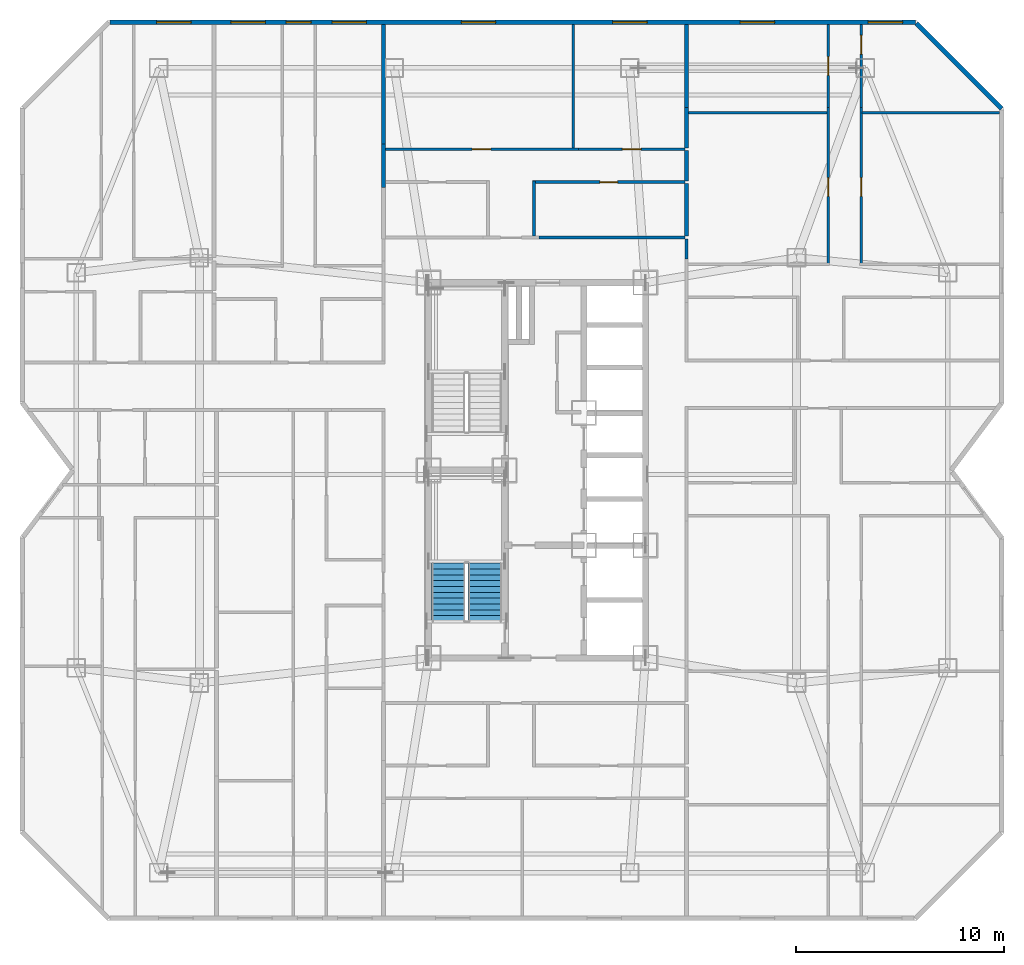
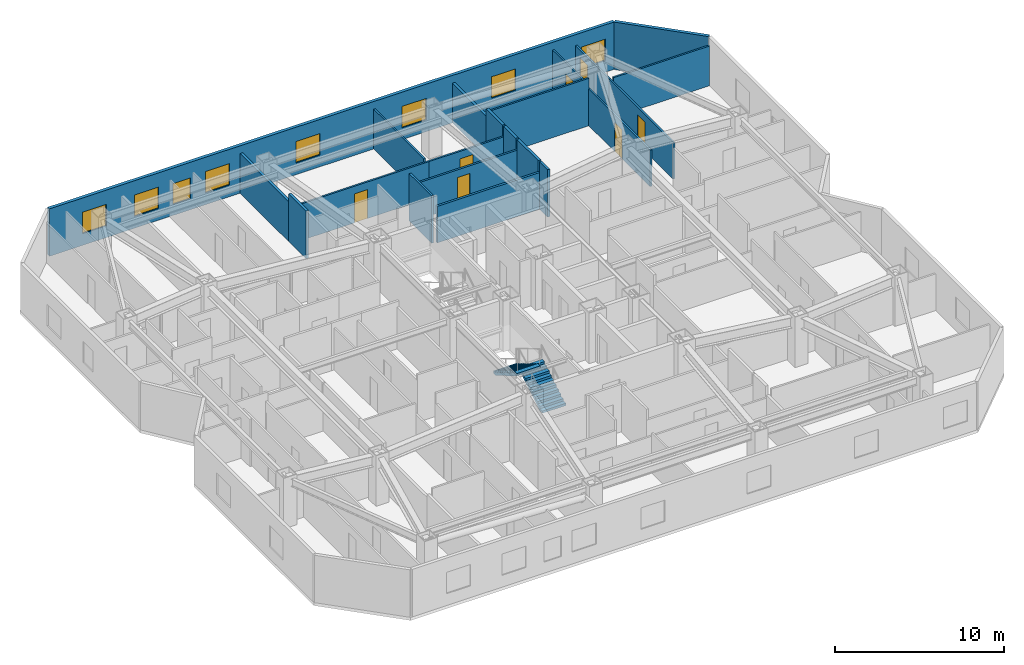
# One storey, part 10 of 12: 21 walls, 8 windows, 7 doors, 2 stair flights, 15 openings, 1 element without a shape of its own.
"""IFC4 building model written with IfcOpenShell, lengths in metres."""

from ifc_helpers import new_model, si_unit, direction, frame, frame_2d, origin, place, context, subcontext, project, spatial, polyline, rectangle, outline, extrude, material, layer, layer_set, type_object, element, fill, aggregate, save


model = new_model("IFC4")

# Units and contexts
model_context = context("Model", 3, precision=1e-05, world=origin(), true_north=direction((0.0, 1.0)))
body_context = subcontext(model_context, "Body", "Model", "MODEL_VIEW")
ifc_project = project(units=[si_unit("LENGTHUNIT", "METRE"), si_unit("AREAUNIT", "SQUARE_METRE"), si_unit("VOLUMEUNIT", "CUBIC_METRE"), si_unit("PLANEANGLEUNIT", "RADIAN"), si_unit("MASSUNIT", "GRAM", prefix="KILO")], contexts=[model_context])

# Site, building, storey
site_placement = place(None, origin())
site = spatial("IfcSite", under=ifc_project, at=site_placement, CompositionType="ELEMENT")
building_placement = place(site_placement, origin())
building = spatial("IfcBuilding", under=site, at=building_placement, Name="Khamvora Tower", CompositionType="ELEMENT")
storey_placement = place(building_placement, frame((0.0, 0.0, 138.39990234375)))
storey = spatial("IfcBuildingStorey", under=building, at=storey_placement, Name="L35", CompositionType="ELEMENT", Elevation=138.39990234375)

# Walls
ifc_material_1 = material(Name="Fire-Rated Drywall and Steel Stud", Category="steel")
ifc_layer_1 = layer(ifc_material_1, 0.14990234375)
ifc_layer_set_1 = layer_set([ifc_layer_1], Name="Fire-Rated Drywall and Steel Stud")
wall_type_1 = type_object("IfcWallType", Name="WAL-CORR-150", PredefinedType="STANDARD", material=ifc_layer_set_1)
wall_1_placement = place(storey_placement, frame((34.299072265625, 39.1650390625, 0.0), z_axis=(0.0, 0.0, 1.0), x_axis=(1.0, 0.0, 0.0)))
element("IfcWall", 1, at=wall_1_placement, inside=storey, type_object=wall_type_1, Name="L35 interior partition wall 028", PredefinedType="STANDARD", context=body_context, shape_type="SweptSolid", body=[
    extrude(rectangle(XDim=7.0009765625, YDim=0.14990234375, at=frame_2d((3.50048828125, 0.0))), origin(), (0.0, 0.0, 1.0), 2.647216796875),
])
wall_2_placement = place(storey_placement, frame((41.364990234375, 39.10009765625, 0.0), z_axis=(0.0, 0.0, 1.0), x_axis=(0.0, -1.0, 0.0)))
element("IfcWall", 2, at=wall_2_placement, inside=storey, type_object=wall_type_1, Name="L35 interior partition wall 041", PredefinedType="STANDARD", context=body_context, shape_type="SweptSolid", body=[
    extrude(rectangle(XDim=0.967041015625, YDim=0.14990234375, at=frame_2d((0.4833984375, 0.0))), origin(), (0.0, 0.0, 1.0), 3.43017578125),
])
ifc_material_2 = material(Name="Acoustic Double-Stud Fire Wall", Category="gypsum")
ifc_layer_2 = layer(ifc_material_2, 0.179931640625)
ifc_layer_set_2 = layer_set([ifc_layer_2], Name="Acoustic Double-Stud Fire Wall")
wall_type_2 = type_object("IfcWallType", Name="WAL-CORR-180", PredefinedType="STANDARD", material=ifc_layer_set_2)
wall_3_placement = place(storey_placement, frame((26.8349609375, 43.65087890625, 0.0), z_axis=(0.0, 0.0, 1.0), x_axis=(0.0, -1.0, 0.0)))
element("IfcWall", 3, at=wall_3_placement, inside=storey, type_object=wall_type_2, Name="L35 interior partition wall 094", PredefinedType="STANDARD", context=body_context, shape_type="SweptSolid", body=[
    extrude(rectangle(XDim=2.077880859375, YDim=0.179931640625, at=frame_2d((1.0390625, 0.0))), origin(), (0.0, 0.0, 1.0), 3.43017578125),
])
wall_4_placement = place(storey_placement, frame((26.8349609375, 49.387939453125, 0.0), z_axis=(0.0, 0.0, 1.0), x_axis=(0.0, -1.0, 0.0)))
element("IfcWall", 4, at=wall_4_placement, inside=storey, type_object=wall_type_2, Name="L35 interior partition wall 096", PredefinedType="STANDARD", context=body_context, shape_type="SweptSolid", body=[
    extrude(rectangle(XDim=5.737060546875, YDim=0.179931640625, at=frame_2d((2.86865234375, 0.0))), origin(), (0.0, 0.0, 1.0), 2.8759765625),
])
wall_5_placement = place(storey_placement, frame((41.364990234375, 43.3369140625, 0.0), z_axis=(0.0, 0.0, 1.0), x_axis=(0.0, -1.0, 0.0)))
element("IfcWall", 5, at=wall_5_placement, inside=storey, type_object=wall_type_2, Name="L35 interior partition wall 113", PredefinedType="STANDARD", context=body_context, shape_type="SweptSolid", body=[
    extrude(rectangle(XDim=1.449951171875, YDim=0.179931640625, at=frame_2d((0.72509765625, 0.0))), origin(), (0.0, 0.0, 1.0), 3.43017578125),
])
wall_6_placement = place(storey_placement, frame((41.364990234375, 41.757080078125, 0.0), z_axis=(0.0, 0.0, 1.0), x_axis=(0.0, -1.0, 0.0)))
element("IfcWall", 6, at=wall_6_placement, inside=storey, type_object=wall_type_2, Name="L35 interior partition wall 114", PredefinedType="STANDARD", context=body_context, shape_type="SweptSolid", body=[
    extrude(rectangle(XDim=2.527099609375, YDim=0.179931640625, at=frame_2d((1.263671875, 0.0))), origin(), (0.0, 0.0, 1.0), 3.43017578125),
])
wall_7_placement = place(storey_placement, frame((41.364990234375, 45.39990234375, 0.0), z_axis=(0.0, 0.0, 1.0), x_axis=(0.0, -1.0, 0.0)))
element("IfcWall", 7, at=wall_7_placement, inside=storey, type_object=wall_type_2, Name="L35 interior partition wall 116", PredefinedType="STANDARD", context=body_context, shape_type="SweptSolid", body=[
    extrude(rectangle(XDim=1.932861328125, YDim=0.179931640625, at=frame_2d((0.96630859375, 0.0))), origin(), (0.0, 0.0, 1.0), 3.43017578125),
])
wall_8_placement = place(storey_placement, frame((41.364990234375, 49.387939453125, 0.0), z_axis=(0.0, 0.0, 1.0), x_axis=(0.0, -1.0, 0.0)))
element("IfcWall", 8, at=wall_8_placement, inside=storey, type_object=wall_type_2, Name="L35 interior partition wall 117", PredefinedType="STANDARD", context=body_context, shape_type="SweptSolid", body=[
    extrude(rectangle(XDim=3.988037109375, YDim=0.179931640625, at=frame_2d((1.994140625, 0.0))), origin(), (0.0, 0.0, 1.0), 2.8759765625),
])

# Wall, openings, windows
ifc_material_3 = material(Name="Precast concrete C40/50", Category="concrete")
ifc_layer_3 = layer(ifc_material_3, 0.219970703125)
ifc_layer_set_3 = layer_set([ifc_layer_3], Name="Precast concrete C40/50")
wall_type_3 = type_object("IfcWallType", Name="WAL-EXT-220", PredefinedType="STANDARD", material=ifc_layer_set_3)
wall_9_placement = place(storey_placement, frame((13.715087890625, 49.489990234375, 0.0), z_axis=(0.0, 0.0, 1.0), x_axis=(1.0, 0.0, 0.0)))
wall_9 = element("IfcWall", 9, at=wall_9_placement, inside=storey, type_object=wall_type_3, Name="L35 exterior facade wall 07.1", PredefinedType="STANDARD", context=body_context, shape_type="SweptSolid", body=[
    extrude(rectangle(XDim=38.638916015625, YDim=0.219970703125, at=frame_2d((19.3193359375, 0.0))), origin(), (0.0, 0.0, 1.0), 3.43017578125),
])
opening_1_placement = place(wall_9_placement, frame((2.242919921875, 0.0, 0.85009765625)))
opening_1 = element("IfcOpeningElement", 10, at=opening_1_placement, cuts=wall_9, Name="Opening WN-06", PredefinedType="OPENING", context=body_context, shape_type="SweptSolid", body=[
    extrude(rectangle(XDim=1.64990234375, YDim=1.550048828125, at=frame_2d((0.824951171875, 0.77490234375))), frame((0.0, 0.119873046875, 0.0), z_axis=(0.0, -1.0, 0.0), x_axis=(1.0, 0.0, 0.0)), (0.0, 0.0, 1.0), 0.239990234375),
])
opening_2_placement = place(wall_9_placement, frame((8.455078125, 0.0, 0.800048828125)))
opening_2 = element("IfcOpeningElement", 11, at=opening_2_placement, cuts=wall_9, Name="Opening WN-03", PredefinedType="OPENING", context=body_context, shape_type="SweptSolid", body=[
    extrude(rectangle(XDim=1.199951171875, YDim=1.5, at=frame_2d((0.60009765625, 0.75))), frame((0.0, 0.119873046875, 0.0), z_axis=(0.0, -1.0, 0.0), x_axis=(1.0, 0.0, 0.0)), (0.0, 0.0, 1.0), 0.239990234375),
])
opening_3_placement = place(wall_9_placement, frame((5.804931640625, 0.0, 0.85009765625)))
opening_3 = element("IfcOpeningElement", 12, at=opening_3_placement, cuts=wall_9, Name="Opening WN-06", PredefinedType="OPENING", context=body_context, shape_type="SweptSolid", body=[
    extrude(rectangle(XDim=1.64990234375, YDim=1.550048828125, at=frame_2d((0.824951171875, 0.77490234375))), frame((0.0, 0.119873046875, 0.0), z_axis=(0.0, -1.0, 0.0), x_axis=(1.0, 0.0, 0.0)), (0.0, 0.0, 1.0), 0.239990234375),
])
opening_4_placement = place(wall_9_placement, frame((10.655029296875, 0.0, 0.85009765625)))
opening_4 = element("IfcOpeningElement", 13, at=opening_4_placement, cuts=wall_9, Name="Opening WN-06", PredefinedType="OPENING", context=body_context, shape_type="SweptSolid", body=[
    extrude(rectangle(XDim=1.64990234375, YDim=1.550048828125, at=frame_2d((0.824951171875, 0.77490234375))), frame((0.0, 0.119873046875, 0.0), z_axis=(0.0, -1.0, 0.0), x_axis=(1.0, 0.0, 0.0)), (0.0, 0.0, 1.0), 0.239990234375),
])
opening_5_placement = place(wall_9_placement, frame((16.85107421875, 0.0, 0.85009765625)))
opening_5 = element("IfcOpeningElement", 14, at=opening_5_placement, cuts=wall_9, Name="Opening WN-06", PredefinedType="OPENING", context=body_context, shape_type="SweptSolid", body=[
    extrude(rectangle(XDim=1.64990234375, YDim=1.550048828125, at=frame_2d((0.824951171875, 0.77490234375))), frame((0.0, 0.119873046875, 0.0), z_axis=(0.0, -1.0, 0.0), x_axis=(1.0, 0.0, 0.0)), (0.0, 0.0, 1.0), 0.239990234375),
])
opening_6_placement = place(wall_9_placement, frame((24.115966796875, 0.0, 0.85009765625)))
opening_6 = element("IfcOpeningElement", 15, at=opening_6_placement, cuts=wall_9, Name="Opening WN-06", PredefinedType="OPENING", context=body_context, shape_type="SweptSolid", body=[
    extrude(rectangle(XDim=1.64990234375, YDim=1.550048828125, at=frame_2d((0.824951171875, 0.77490234375))), frame((0.0, 0.119873046875, 0.0), z_axis=(0.0, -1.0, 0.0), x_axis=(1.0, 0.0, 0.0)), (0.0, 0.0, 1.0), 0.239990234375),
])
opening_7_placement = place(wall_9_placement, frame((30.22998046875, 0.0, 0.85009765625)))
opening_7 = element("IfcOpeningElement", 16, at=opening_7_placement, cuts=wall_9, Name="Opening WN-06", PredefinedType="OPENING", context=body_context, shape_type="SweptSolid", body=[
    extrude(rectangle(XDim=1.64990234375, YDim=1.550048828125, at=frame_2d((0.824951171875, 0.77490234375))), frame((0.0, 0.119873046875, 0.0), z_axis=(0.0, -1.0, 0.0), x_axis=(1.0, 0.0, 0.0)), (0.0, 0.0, 1.0), 0.239990234375),
])
opening_8_placement = place(wall_9_placement, frame((36.366943359375, 0.0, 0.85009765625)))
opening_8 = element("IfcOpeningElement", 17, at=opening_8_placement, cuts=wall_9, Name="Opening WN-06", PredefinedType="OPENING", context=body_context, shape_type="SweptSolid", body=[
    extrude(rectangle(XDim=1.64990234375, YDim=1.550048828125, at=frame_2d((0.824951171875, 0.77490234375))), frame((0.0, 0.119873046875, 0.0), z_axis=(0.0, -1.0, 0.0), x_axis=(1.0, 0.0, 0.0)), (0.0, 0.0, 1.0), 0.239990234375),
])
ifc_material_4 = material(Name="Low-E Laminated Double Glazing", Category="glass")
window_type_1 = type_object("IfcWindowType", Name="WIN-VIS-1200x1500", PartitioningType="SINGLE_PANEL", PredefinedType="WINDOW", material=ifc_material_4)
window_1_placement = place(opening_2_placement, origin())
window_1 = element("IfcWindow", 18, at=window_1_placement, inside=storey, type_object=window_type_1, Name="L35 vision window 07.1.02", OverallHeight=1.5, OverallWidth=1.199951171875, PartitioningType="SINGLE_PANEL", PredefinedType="WINDOW", context=body_context, shape_type="SweptSolid", body=[
    extrude(rectangle(XDim=1.199951171875, YDim=1.5, at=frame_2d((0.60009765625, 0.75))), frame((0.0, 0.030029296875, 0.0), z_axis=(0.0, -1.0, 0.0), x_axis=(1.0, 0.0, 0.0)), (0.0, 0.0, 1.0), 0.06005859375),
])
fill(opening_2, window_1)
window_type_2 = type_object("IfcWindowType", Name="WIN-VIS-1650x1550", PartitioningType="SINGLE_PANEL", PredefinedType="WINDOW", material=ifc_material_4)
window_2_placement = place(opening_1_placement, origin())
window_2 = element("IfcWindow", 19, at=window_2_placement, inside=storey, type_object=window_type_2, Name="L35 vision window 07.1.01", OverallHeight=1.550048828125, OverallWidth=1.64990234375, PartitioningType="SINGLE_PANEL", PredefinedType="WINDOW", context=body_context, shape_type="SweptSolid", body=[
    extrude(rectangle(XDim=1.64990234375, YDim=1.550048828125, at=frame_2d((0.824951171875, 0.77490234375))), frame((0.0, 0.030029296875, 0.0), z_axis=(0.0, -1.0, 0.0), x_axis=(1.0, 0.0, 0.0)), (0.0, 0.0, 1.0), 0.06005859375),
])
fill(opening_1, window_2)
window_3_placement = place(opening_3_placement, origin())
window_3 = element("IfcWindow", 20, at=window_3_placement, inside=storey, type_object=window_type_2, Name="L35 vision window 07.1.03", OverallHeight=1.550048828125, OverallWidth=1.64990234375, PartitioningType="SINGLE_PANEL", PredefinedType="WINDOW", context=body_context, shape_type="SweptSolid", body=[
    extrude(rectangle(XDim=1.64990234375, YDim=1.550048828125, at=frame_2d((0.824951171875, 0.77490234375))), frame((0.0, 0.030029296875, 0.0), z_axis=(0.0, -1.0, 0.0), x_axis=(1.0, 0.0, 0.0)), (0.0, 0.0, 1.0), 0.06005859375),
])
fill(opening_3, window_3)
window_4_placement = place(opening_4_placement, origin())
window_4 = element("IfcWindow", 21, at=window_4_placement, inside=storey, type_object=window_type_2, Name="L35 vision window 07.1.04", OverallHeight=1.550048828125, OverallWidth=1.64990234375, PartitioningType="SINGLE_PANEL", PredefinedType="WINDOW", context=body_context, shape_type="SweptSolid", body=[
    extrude(rectangle(XDim=1.64990234375, YDim=1.550048828125, at=frame_2d((0.824951171875, 0.77490234375))), frame((0.0, 0.030029296875, 0.0), z_axis=(0.0, -1.0, 0.0), x_axis=(1.0, 0.0, 0.0)), (0.0, 0.0, 1.0), 0.06005859375),
])
fill(opening_4, window_4)
window_5_placement = place(opening_5_placement, origin())
window_5 = element("IfcWindow", 22, at=window_5_placement, inside=storey, type_object=window_type_2, Name="L35 vision window 07.1.05", OverallHeight=1.550048828125, OverallWidth=1.64990234375, PartitioningType="SINGLE_PANEL", PredefinedType="WINDOW", context=body_context, shape_type="SweptSolid", body=[
    extrude(rectangle(XDim=1.64990234375, YDim=1.550048828125, at=frame_2d((0.824951171875, 0.77490234375))), frame((0.0, 0.030029296875, 0.0), z_axis=(0.0, -1.0, 0.0), x_axis=(1.0, 0.0, 0.0)), (0.0, 0.0, 1.0), 0.06005859375),
])
fill(opening_5, window_5)
window_6_placement = place(opening_6_placement, origin())
window_6 = element("IfcWindow", 23, at=window_6_placement, inside=storey, type_object=window_type_2, Name="L35 vision window 07.1.06", OverallHeight=1.550048828125, OverallWidth=1.64990234375, PartitioningType="SINGLE_PANEL", PredefinedType="WINDOW", context=body_context, shape_type="SweptSolid", body=[
    extrude(rectangle(XDim=1.64990234375, YDim=1.550048828125, at=frame_2d((0.824951171875, 0.77490234375))), frame((0.0, 0.030029296875, 0.0), z_axis=(0.0, -1.0, 0.0), x_axis=(1.0, 0.0, 0.0)), (0.0, 0.0, 1.0), 0.06005859375),
])
fill(opening_6, window_6)
window_7_placement = place(opening_7_placement, origin())
window_7 = element("IfcWindow", 24, at=window_7_placement, inside=storey, type_object=window_type_2, Name="L35 vision window 07.1.07", OverallHeight=1.550048828125, OverallWidth=1.64990234375, PartitioningType="SINGLE_PANEL", PredefinedType="WINDOW", context=body_context, shape_type="SweptSolid", body=[
    extrude(rectangle(XDim=1.64990234375, YDim=1.550048828125, at=frame_2d((0.824951171875, 0.77490234375))), frame((0.0, 0.030029296875, 0.0), z_axis=(0.0, -1.0, 0.0), x_axis=(1.0, 0.0, 0.0)), (0.0, 0.0, 1.0), 0.06005859375),
])
fill(opening_7, window_7)
window_8_placement = place(opening_8_placement, origin())
window_8 = element("IfcWindow", 25, at=window_8_placement, inside=storey, type_object=window_type_2, Name="L35 vision window 07.1.08", OverallHeight=1.550048828125, OverallWidth=1.64990234375, PartitioningType="SINGLE_PANEL", PredefinedType="WINDOW", context=body_context, shape_type="SweptSolid", body=[
    extrude(rectangle(XDim=1.64990234375, YDim=1.550048828125, at=frame_2d((0.824951171875, 0.77490234375))), frame((0.0, 0.030029296875, 0.0), z_axis=(0.0, -1.0, 0.0), x_axis=(1.0, 0.0, 0.0)), (0.0, 0.0, 1.0), 0.06005859375),
])
fill(opening_8, window_8)

# Wall
wall_10_placement = place(storey_placement, frame((52.402099609375, 49.44189453125, 0.0), z_axis=(0.0, 0.0, 1.0), x_axis=(0.707106781187, -0.707106781187, 0.0)))
element("IfcWall", 26, at=wall_10_placement, inside=storey, type_object=wall_type_3, Name="L35 exterior facade wall 08.1", PredefinedType="STANDARD", context=body_context, shape_type="SweptSolid", body=[
    extrude(rectangle(XDim=5.78125, YDim=0.219970703125, at=frame_2d((2.890625, 0.0))), origin(), (0.0, 0.0, 1.0), 3.43017578125),
])

# Wall, opening, door
ifc_material_5 = material(Name="Gypsum Plasterboard Partition", Category="gypsum")
ifc_layer_4 = layer(ifc_material_5, 0.1201171875)
ifc_layer_set_4 = layer_set([ifc_layer_4], Name="Gypsum Plasterboard Partition")
wall_type_4 = type_object("IfcWallType", Name="WAL-PART-120", PredefinedType="PARTITIONING", material=ifc_layer_set_4)
wall_11_placement = place(storey_placement, frame((26.9169921875, 43.402099609375, 0.0), z_axis=(0.0, 0.0, 1.0), x_axis=(1.0, 0.0, 0.0)))
wall_11 = element("IfcWall", 27, at=wall_11_placement, inside=storey, type_object=wall_type_4, Name="L35 interior partition wall 111", PredefinedType="PARTITIONING", context=body_context, shape_type="SweptSolid", body=[
    extrude(rectangle(XDim=9.279052734375, YDim=0.1201171875, at=frame_2d((4.6396484375, 0.0))), origin(), (0.0, 0.0, 1.0), 2.647216796875),
])
opening_9_placement = place(wall_11_placement, frame((4.16796875, 0.0, 0.0)))
opening_9 = element("IfcOpeningElement", 28, at=opening_9_placement, cuts=wall_11, Name="Opening D-RM1", PredefinedType="OPENING", context=body_context, shape_type="SweptSolid", body=[
    extrude(rectangle(XDim=0.89990234375, YDim=2.10009765625, at=frame_2d((0.449951171875, 1.050048828125))), frame((0.0, 0.070068359375, 0.0), z_axis=(0.0, -1.0, 0.0), x_axis=(1.0, 0.0, 0.0)), (0.0, 0.0, 1.0), 0.14013671875),
])
ifc_material_6 = material(Name="Powder-Coated Steel and Hardwood Leaf", Category="steel")
door_type_1 = type_object("IfcDoorType", Name="DOR-ROOM-900", OperationType="NOTDEFINED", PredefinedType="DOOR", material=ifc_material_6)
door_1_placement = place(opening_9_placement, origin())
door_1 = element("IfcDoor", 29, at=door_1_placement, inside=storey, type_object=door_type_1, Name="L35 interior door 35NAH-35NAR1", OperationType="SINGLE_SWING_LEFT", OverallHeight=2.10009765625, OverallWidth=0.89990234375, PredefinedType="DOOR", context=body_context, shape_type="SweptSolid", body=[
    extrude(rectangle(XDim=0.89990234375, YDim=2.10009765625, at=frame_2d((0.449951171875, 1.050048828125))), frame((0.0, 0.02490234375, 0.0), z_axis=(0.0, -1.0, 0.0), x_axis=(1.0, 0.0, 0.0)), (0.0, 0.0, 1.0), 0.050048828125),
])
fill(opening_9, door_1)

wall_12_placement = place(storey_placement, frame((36.196044921875, 43.402099609375, 0.0), z_axis=(0.0, 0.0, 1.0), x_axis=(1.0, 0.0, 0.0)))
wall_12 = element("IfcWall", 30, at=wall_12_placement, inside=storey, type_object=wall_type_4, Name="L35 interior partition wall 112", PredefinedType="PARTITIONING", context=body_context, shape_type="SweptSolid", body=[
    extrude(rectangle(XDim=5.10400390625, YDim=0.1201171875, at=frame_2d((2.552001953125, 0.0))), origin(), (0.0, 0.0, 1.0), 2.647216796875),
])
opening_10_placement = place(wall_12_placement, frame((2.10205078125, 0.0, 0.0)))
opening_10 = element("IfcOpeningElement", 31, at=opening_10_placement, cuts=wall_12, Name="Opening D-RM1", PredefinedType="OPENING", context=body_context, shape_type="SweptSolid", body=[
    extrude(rectangle(XDim=0.89990234375, YDim=2.10009765625, at=frame_2d((0.449951171875, 1.050048828125))), frame((0.0, 0.070068359375, 0.0), z_axis=(0.0, -1.0, 0.0), x_axis=(1.0, 0.0, 0.0)), (0.0, 0.0, 1.0), 0.14013671875),
])
door_2_placement = place(opening_10_placement, origin())
door_2 = element("IfcDoor", 32, at=door_2_placement, inside=storey, type_object=door_type_1, Name="L35 interior door 35NAH-35NAR2", OperationType="SINGLE_SWING_RIGHT", OverallHeight=2.10009765625, OverallWidth=0.89990234375, PredefinedType="DOOR", context=body_context, shape_type="SweptSolid", body=[
    extrude(rectangle(XDim=0.89990234375, YDim=2.10009765625, at=frame_2d((0.449951171875, 1.050048828125))), frame((0.0, 0.02490234375, 0.0), z_axis=(0.0, -1.0, 0.0), x_axis=(1.0, 0.0, 0.0)), (0.0, 0.0, 1.0), 0.050048828125),
])
fill(opening_10, door_2)

# Wall
wall_13_placement = place(storey_placement, frame((35.947021484375, 49.387939453125, 0.0), z_axis=(0.0, 0.0, 1.0), x_axis=(0.0, -1.0, 0.0)))
element("IfcWall", 33, at=wall_13_placement, inside=storey, type_object=wall_type_4, Name="L35 interior partition wall 115", PredefinedType="PARTITIONING", context=body_context, shape_type="SweptSolid", body=[
    extrude(rectangle(XDim=5.931884765625, YDim=0.1201171875, at=frame_2d((2.9658203125, 0.0))), origin(), (0.0, 0.0, 1.0), 2.8759765625),
])

# Wall, opening, door
wall_14_placement = place(storey_placement, frame((48.175048828125, 37.819091796875, 0.0), z_axis=(0.0, 0.0, 1.0), x_axis=(0.0, 1.0, 0.0)))
wall_14 = element("IfcWall", 34, at=wall_14_placement, inside=storey, type_object=wall_type_4, Name="L35 interior partition wall 139", PredefinedType="PARTITIONING", context=body_context, shape_type="SweptSolid", body=[
    extrude(rectangle(XDim=7.580810546875, YDim=0.1201171875, at=frame_2d((3.79052734375, 0.0))), origin(), (0.0, 0.0, 1.0), 2.647216796875),
])
opening_11_placement = place(wall_14_placement, frame((3.319091796875, 0.0, 0.0)))
opening_11 = element("IfcOpeningElement", 35, at=opening_11_placement, cuts=wall_14, Name="Opening D-RM1", PredefinedType="OPENING", context=body_context, shape_type="SweptSolid", body=[
    extrude(rectangle(XDim=0.89990234375, YDim=2.10009765625, at=frame_2d((0.449951171875, 1.050048828125))), frame((0.0, 0.070068359375, 0.0), z_axis=(0.0, -1.0, 0.0), x_axis=(1.0, 0.0, 0.0)), (0.0, 0.0, 1.0), 0.14013671875),
])
door_3_placement = place(opening_11_placement, origin())
door_3 = element("IfcDoor", 36, at=door_3_placement, inside=storey, type_object=door_type_1, Name="L35 interior door 35EBH-35EBR1", OperationType="SINGLE_SWING_RIGHT", OverallHeight=2.10009765625, OverallWidth=0.89990234375, PredefinedType="DOOR", context=body_context, shape_type="SweptSolid", body=[
    extrude(rectangle(XDim=0.89990234375, YDim=2.10009765625, at=frame_2d((0.449951171875, 1.050048828125))), frame((0.0, 0.02490234375, 0.0), z_axis=(0.0, -1.0, 0.0), x_axis=(1.0, 0.0, 0.0)), (0.0, 0.0, 1.0), 0.050048828125),
])
fill(opening_11, door_3)

wall_15_placement = place(storey_placement, frame((48.175048828125, 45.39990234375, 0.0), z_axis=(0.0, 0.0, 1.0), x_axis=(0.0, 1.0, 0.0)))
wall_15 = element("IfcWall", 37, at=wall_15_placement, inside=storey, type_object=wall_type_4, Name="L35 interior partition wall 140", PredefinedType="PARTITIONING", context=body_context, shape_type="SweptSolid", body=[
    extrude(rectangle(XDim=3.988037109375, YDim=0.1201171875, at=frame_2d((1.994140625, 0.0))), origin(), (0.0, 0.0, 1.0), 2.8759765625),
])
opening_12_placement = place(wall_15_placement, frame((1.5439453125, 0.0, 0.0)))
opening_12 = element("IfcOpeningElement", 38, at=opening_12_placement, cuts=wall_15, Name="Opening D-RM1", PredefinedType="OPENING", context=body_context, shape_type="SweptSolid", body=[
    extrude(rectangle(XDim=0.89990234375, YDim=2.10009765625, at=frame_2d((0.449951171875, 1.050048828125))), frame((0.0, 0.070068359375, 0.0), z_axis=(0.0, -1.0, 0.0), x_axis=(1.0, 0.0, 0.0)), (0.0, 0.0, 1.0), 0.14013671875),
])
door_4_placement = place(opening_12_placement, origin())
door_4 = element("IfcDoor", 39, at=door_4_placement, inside=storey, type_object=door_type_1, Name="L35 interior door 35EBH-35EBR2", OperationType="SINGLE_SWING_LEFT", OverallHeight=2.10009765625, OverallWidth=0.89990234375, PredefinedType="DOOR", context=body_context, shape_type="SweptSolid", body=[
    extrude(rectangle(XDim=0.89990234375, YDim=2.10009765625, at=frame_2d((0.449951171875, 1.050048828125))), frame((0.0, 0.02490234375, 0.0), z_axis=(0.0, -1.0, 0.0), x_axis=(1.0, 0.0, 0.0)), (0.0, 0.0, 1.0), 0.050048828125),
])
fill(opening_12, door_4)

wall_16_placement = place(storey_placement, frame((49.7451171875, 45.39990234375, 0.0), z_axis=(0.0, 0.0, 1.0), x_axis=(0.0, -1.0, 0.0)))
wall_16 = element("IfcWall", 40, at=wall_16_placement, inside=storey, type_object=wall_type_4, Name="L35 interior partition wall 141", PredefinedType="PARTITIONING", context=body_context, shape_type="SweptSolid", body=[
    extrude(rectangle(XDim=7.580810546875, YDim=0.1201171875, at=frame_2d((3.79052734375, 0.0))), origin(), (0.0, 0.0, 1.0), 2.647216796875),
])
opening_13_placement = place(wall_16_placement, frame((3.361083984375, 0.0, 0.0)))
opening_13 = element("IfcOpeningElement", 41, at=opening_13_placement, cuts=wall_16, Name="Opening D-RM1", PredefinedType="OPENING", context=body_context, shape_type="SweptSolid", body=[
    extrude(rectangle(XDim=0.89990234375, YDim=2.10009765625, at=frame_2d((0.449951171875, 1.050048828125))), frame((0.0, 0.070068359375, 0.0), z_axis=(0.0, -1.0, 0.0), x_axis=(1.0, 0.0, 0.0)), (0.0, 0.0, 1.0), 0.14013671875),
])
door_5_placement = place(opening_13_placement, origin())
door_5 = element("IfcDoor", 42, at=door_5_placement, inside=storey, type_object=door_type_1, Name="L35 interior door 35EBH-35EBR3", OperationType="SINGLE_SWING_RIGHT", OverallHeight=2.10009765625, OverallWidth=0.89990234375, PredefinedType="DOOR", context=body_context, shape_type="SweptSolid", body=[
    extrude(rectangle(XDim=0.89990234375, YDim=2.10009765625, at=frame_2d((0.449951171875, 1.050048828125))), frame((0.0, 0.02490234375, 0.0), z_axis=(0.0, -1.0, 0.0), x_axis=(1.0, 0.0, 0.0)), (0.0, 0.0, 1.0), 0.050048828125),
])
fill(opening_13, door_5)

wall_17_placement = place(storey_placement, frame((49.7451171875, 49.387939453125, 0.0), z_axis=(0.0, 0.0, 1.0), x_axis=(0.0, -1.0, 0.0)))
wall_17 = element("IfcWall", 43, at=wall_17_placement, inside=storey, type_object=wall_type_4, Name="L35 interior partition wall 143", PredefinedType="PARTITIONING", context=body_context, shape_type="SweptSolid", body=[
    extrude(rectangle(XDim=3.988037109375, YDim=0.1201171875, at=frame_2d((1.994140625, 0.0))), origin(), (0.0, 0.0, 1.0), 2.647216796875),
])
opening_14_placement = place(wall_17_placement, frame((0.52001953125, 0.0, 0.0)))
opening_14 = element("IfcOpeningElement", 44, at=opening_14_placement, cuts=wall_17, Name="Opening D-RM1", PredefinedType="OPENING", context=body_context, shape_type="SweptSolid", body=[
    extrude(rectangle(XDim=0.89990234375, YDim=2.10009765625, at=frame_2d((0.449951171875, 1.050048828125))), frame((0.0, 0.070068359375, 0.0), z_axis=(0.0, -1.0, 0.0), x_axis=(1.0, 0.0, 0.0)), (0.0, 0.0, 1.0), 0.14013671875),
])
door_6_placement = place(opening_14_placement, origin())
door_6 = element("IfcDoor", 45, at=door_6_placement, inside=storey, type_object=door_type_1, Name="L35 interior door 35EBH-35EBR4", OperationType="SINGLE_SWING_LEFT", OverallHeight=2.10009765625, OverallWidth=0.89990234375, PredefinedType="DOOR", context=body_context, shape_type="SweptSolid", body=[
    extrude(rectangle(XDim=0.89990234375, YDim=2.10009765625, at=frame_2d((0.449951171875, 1.050048828125))), frame((0.0, 0.02490234375, 0.0), z_axis=(0.0, -1.0, 0.0), x_axis=(1.0, 0.0, 0.0)), (0.0, 0.0, 1.0), 0.050048828125),
])
fill(opening_14, door_6)

# Walls
wall_18_placement = place(storey_placement, frame((41.447021484375, 45.15087890625, 0.0), z_axis=(0.0, 0.0, 1.0), x_axis=(1.0, 0.0, 0.0)))
element("IfcWall", 46, at=wall_18_placement, inside=storey, type_object=wall_type_4, Name="L35 interior partition wall 144", PredefinedType="PARTITIONING", context=body_context, shape_type="SweptSolid", body=[
    extrude(rectangle(XDim=6.674072265625, YDim=0.1201171875, at=frame_2d((3.3369140625, 0.0))), origin(), (0.0, 0.0, 1.0), 3.43017578125),
])
wall_19_placement = place(storey_placement, frame((49.799072265625, 45.15087890625, 0.0), z_axis=(0.0, 0.0, 1.0), x_axis=(1.0, 0.0, 0.0)))
element("IfcWall", 47, at=wall_19_placement, inside=storey, type_object=wall_type_4, Name="L35 interior partition wall 145", PredefinedType="PARTITIONING", context=body_context, shape_type="SweptSolid", body=[
    extrude(rectangle(XDim=6.5888671875, YDim=0.1201171875, at=frame_2d((3.29443359375, 0.0))), origin(), (0.0, 0.0, 1.0), 2.8759765625),
])

# Wall, opening, door
ifc_material_7 = material(Name="Moisture-Resistant Plasterboard Partition", Category="gypsum")
ifc_layer_5 = layer(ifc_material_7, 0.135009765625)
ifc_layer_set_5 = layer_set([ifc_layer_5], Name="Moisture-Resistant Plasterboard Partition")
wall_type_5 = type_object("IfcWallType", Name="WAL-WET-135", PredefinedType="PARTITIONING", material=ifc_layer_set_5)
wall_20_placement = place(storey_placement, frame((41.300048828125, 41.822021484375, 0.0), z_axis=(0.0, 0.0, 1.0), x_axis=(-1.0, 0.0, 0.0)))
wall_20 = element("IfcWall", 48, at=wall_20_placement, inside=storey, type_object=wall_type_5, Name="L35 interior partition wall 109", PredefinedType="PARTITIONING", context=body_context, shape_type="SweptSolid", body=[
    extrude(rectangle(XDim=7.31494140625, YDim=0.135009765625, at=frame_2d((3.657470703125, 0.0))), origin(), (0.0, 0.0, 1.0), 2.647216796875),
])
opening_15_placement = place(wall_20_placement, frame((3.23291015625, 0.0, 0.0)))
opening_15 = element("IfcOpeningElement", 49, at=opening_15_placement, cuts=wall_20, Name="Opening D-RM2", PredefinedType="OPENING", context=body_context, shape_type="SweptSolid", body=[
    extrude(rectangle(XDim=0.85009765625, YDim=2.10009765625, at=frame_2d((0.425048828125, 1.050048828125))), frame((0.0, 0.077392578125, 0.0), z_axis=(0.0, -1.0, 0.0), x_axis=(1.0, 0.0, 0.0)), (0.0, 0.0, 1.0), 0.155029296875),
])
door_type_2 = type_object("IfcDoorType", Name="DOR-ROOM-850", OperationType="NOTDEFINED", PredefinedType="DOOR", material=ifc_material_6)
door_7_placement = place(opening_15_placement, origin())
door_7 = element("IfcDoor", 50, at=door_7_placement, inside=storey, type_object=door_type_2, Name="L35 interior door 35NAH-35NAK", OperationType="SINGLE_SWING_RIGHT", OverallHeight=2.10009765625, OverallWidth=0.85009765625, PredefinedType="DOOR", context=body_context, shape_type="SweptSolid", body=[
    extrude(rectangle(XDim=0.85009765625, YDim=2.10009765625, at=frame_2d((0.425048828125, 1.050048828125))), frame((0.0, 0.02490234375, 0.0), z_axis=(0.0, -1.0, 0.0), x_axis=(1.0, 0.0, 0.0)), (0.0, 0.0, 1.0), 0.050048828125),
])
fill(opening_15, door_7)

# Wall
wall_21_placement = place(storey_placement, frame((34.050048828125, 41.886962890625, 0.0), z_axis=(0.0, 0.0, 1.0), x_axis=(0.0, -1.0, 0.0)))
element("IfcWall", 51, at=wall_21_placement, inside=storey, type_object=wall_type_5, Name="L35 interior partition wall 110", PredefinedType="PARTITIONING", context=body_context, shape_type="SweptSolid", body=[
    extrude(rectangle(XDim=2.655029296875, YDim=0.135009765625, at=frame_2d((1.32763671875, 0.0))), origin(), (0.0, 0.0, 1.0), 3.43017578125),
])

# Stair, stair flights
ifc_material_8 = material(Name="Concrete C40/50", Category="concrete")
stair_type = type_object("IfcStairType", Name="STR-ST-01", PredefinedType="HALF_TURN_STAIR", material=ifc_material_8)
stair_placement = place(storey_placement, origin())
stair = element("IfcStair", 52, at=stair_placement, inside=storey, type_object=stair_type, Name="L35 South Tower Exit Stair ST-01", PredefinedType="HALF_TURN_STAIR")
stair_flight_type = type_object("IfcStairFlightType", Name="STF-ST-01", PredefinedType="STRAIGHT", material=ifc_material_8)
stair_flight_1_placement = place(storey_placement, frame((31.699951171875, 20.75, 0.0), z_axis=(0.0, 0.0, 1.0), x_axis=(0.0, 1.0, 0.0)))
stair_flight_1 = element("IfcStairFlight", 53, at=stair_flight_1_placement, type_object=stair_flight_type, Name="ST-01 flight 1", NumberOfRisers=11, NumberOfTreads=10, PredefinedType="STRAIGHT", RiserHeight=0.165909091, TreadLength=0.28, context=body_context, shape_type="SweptSolid", body=[
    extrude(outline(polyline([(0.0, 0.0), (0.0, 0.166015625), (0.280029296875, 0.166015625), (0.280029296875, 0.331787109375), (0.56005859375, 0.331787109375), (0.56005859375, 0.497802734375), (0.840087890625, 0.497802734375), (0.840087890625, 0.66357421875), (1.1201171875, 0.66357421875), (1.1201171875, 0.82958984375), (1.39990234375, 0.82958984375), (1.39990234375, 0.995361328125), (1.679931640625, 0.995361328125), (1.679931640625, 1.161376953125), (1.9599609375, 1.161376953125), (1.9599609375, 1.327392578125), (2.239990234375, 1.327392578125), (2.239990234375, 1.4931640625), (2.52001953125, 1.4931640625), (2.52001953125, 1.6591796875), (2.800048828125, 1.6591796875), (2.800048828125, 1.824951171875), (2.800048828125, 1.48486328125), (0.2939453125, 0.0), (0.0, 0.0)])), frame((0.0, 0.800048828125, 0.0), z_axis=(0.0, -1.0, 0.0), x_axis=(1.0, 0.0, 0.0)), (0.0, 0.0, 1.0), 1.60009765625),
])
stair_flight_2_placement = place(storey_placement, frame((29.949951171875, 23.550048828125, 1.8251953125), z_axis=(0.0, 0.0, 1.0), x_axis=(0.0, -1.0, 0.0)))
stair_flight_2 = element("IfcStairFlight", 54, at=stair_flight_2_placement, type_object=stair_flight_type, Name="ST-01 flight 2", NumberOfRisers=11, NumberOfTreads=10, PredefinedType="STRAIGHT", RiserHeight=0.165909091, TreadLength=0.28, context=body_context, shape_type="SweptSolid", body=[
    extrude(outline(polyline([(0.0, 0.0), (0.0, 0.166015625), (0.280029296875, 0.166015625), (0.280029296875, 0.331787109375), (0.56005859375, 0.331787109375), (0.56005859375, 0.497802734375), (0.840087890625, 0.497802734375), (0.840087890625, 0.66357421875), (1.1201171875, 0.66357421875), (1.1201171875, 0.82958984375), (1.39990234375, 0.82958984375), (1.39990234375, 0.995361328125), (1.679931640625, 0.995361328125), (1.679931640625, 1.161376953125), (1.9599609375, 1.161376953125), (1.9599609375, 1.327392578125), (2.239990234375, 1.327392578125), (2.239990234375, 1.4931640625), (2.52001953125, 1.4931640625), (2.52001953125, 1.6591796875), (2.800048828125, 1.6591796875), (2.800048828125, 1.824951171875), (2.800048828125, 1.48486328125), (0.2939453125, 0.0), (0.0, 0.0)])), frame((0.0, 0.800048828125, 0.0), z_axis=(0.0, -1.0, 0.0), x_axis=(1.0, 0.0, 0.0)), (0.0, 0.0, 1.0), 1.60009765625),
])
aggregate(stair, [stair_flight_1, stair_flight_2])

save(model, "model.ifc")
